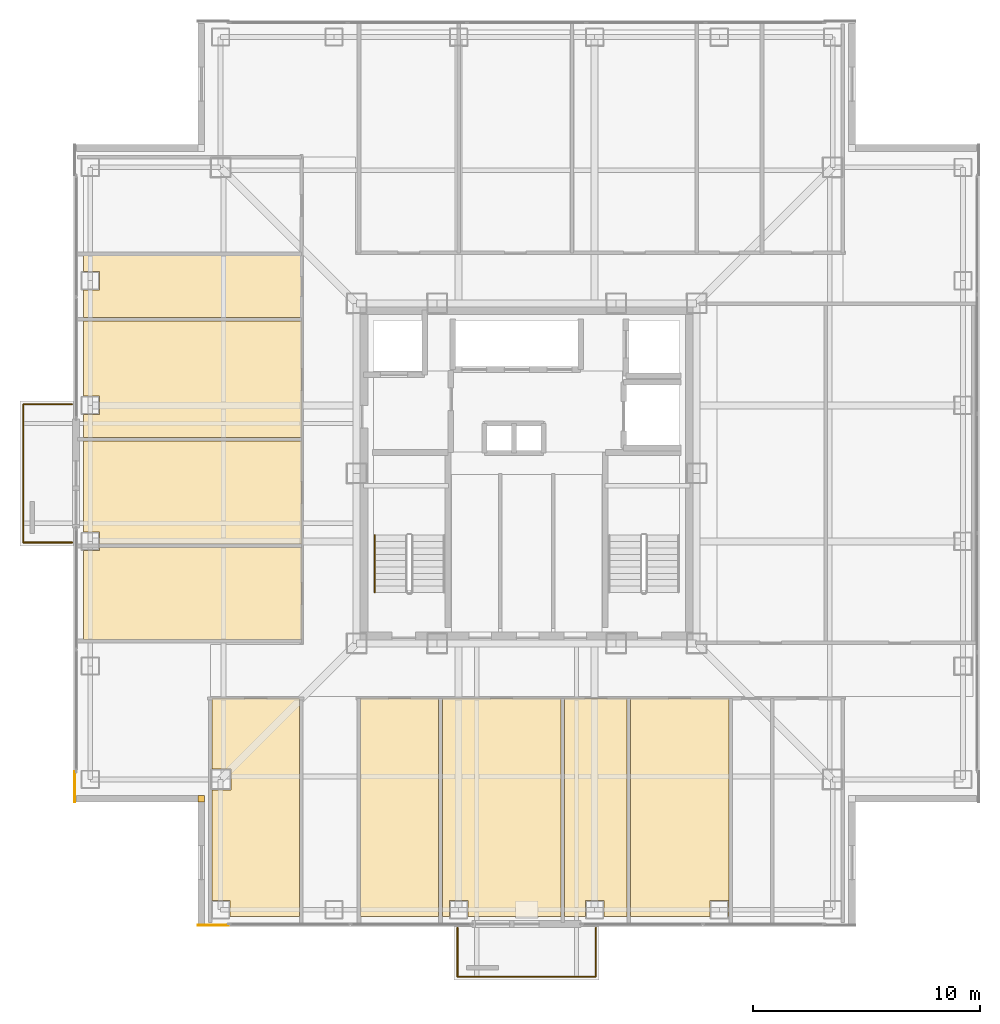
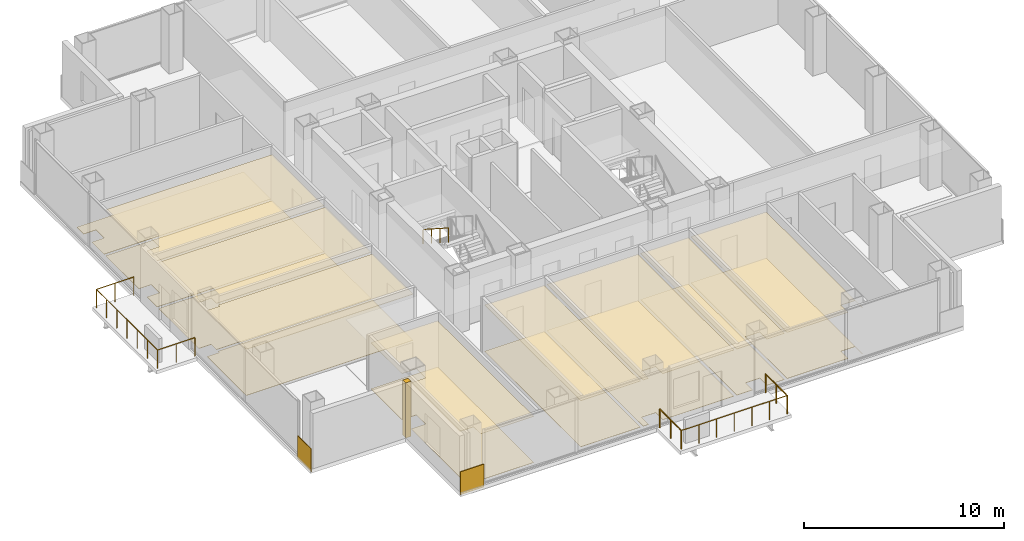
# One storey, part 14 of 16: 20 coverings, 7 railings.
"""IFC4 building model written with IfcOpenShell, lengths in metres."""

from ifc_helpers import new_model, si_unit, direction, frame, frame_2d, origin, origin_2d, place, context, subcontext, project, spatial, polyline, rectangle, circle, outline, extrude, material, layer, layer_set, type_object, element, save


model = new_model("IFC4")

# Units and contexts
model_context = context("Model", 3, precision=1e-05, world=origin(), true_north=direction((0.0, 1.0)))
body_context = subcontext(model_context, "Body", "Model", "MODEL_VIEW")
ifc_project = project(units=[si_unit("LENGTHUNIT", "METRE"), si_unit("AREAUNIT", "SQUARE_METRE"), si_unit("VOLUMEUNIT", "CUBIC_METRE"), si_unit("PLANEANGLEUNIT", "RADIAN"), si_unit("MASSUNIT", "GRAM", prefix="KILO")], contexts=[model_context])

# Site, building, storey
site_placement = place(None, origin())
site = spatial("IfcSite", under=ifc_project, at=site_placement, CompositionType="ELEMENT")
building_placement = place(site_placement, origin())
building = spatial("IfcBuilding", under=site, at=building_placement, Name="Trevonay Congress Spire", CompositionType="ELEMENT")
storey_placement = place(building_placement, frame((0.0, 0.0, 177.0)))
storey = spatial("IfcBuildingStorey", under=building, at=storey_placement, Name="L45", CompositionType="ELEMENT", Elevation=177.0)

# Coverings
ifc_material_1 = material(Name="Acoustic Mineral Fibre Board", Category="gypsum")
ifc_layer_1 = layer(ifc_material_1, 0.02490234375, Name="Acoustic Mineral Fibre Board")
ifc_layer_set_1 = layer_set([ifc_layer_1], Name="Acoustic Mineral Fibre Board")
covering_type_1 = type_object("IfcCoveringType", Name="COV-CEIL-ACOUSTIC", PredefinedType="CEILING", material=ifc_layer_set_1)
covering_1_placement = place(storey_placement, frame((0.0, 0.0, 2.81005859375)))
element("IfcCovering", 1, at=covering_1_placement, inside=storey, type_object=covering_type_1, Name="L45 Senior Partner Corner Office acoustic suspended ceiling", PredefinedType="CEILING", context=body_context, shape_type="SweptSolid", body=[
    extrude(outline(polyline([(-13.8701171875, -9.929931640625), (-10.030029296875, -9.929931640625), (-10.030029296875, -19.550048828125), (-13.090087890625, -19.550048828125), (-13.090087890625, -18.840087890625), (-13.8701171875, -18.840087890625), (-13.8701171875, -13.9599609375), (-13.0400390625, -13.9599609375), (-13.0400390625, -13.0400390625), (-13.8701171875, -13.0400390625), (-13.8701171875, -9.929931640625)])), origin(), (0.0, 0.0, 1.0), 0.02490234375),
])
covering_2_placement = place(storey_placement, frame((0.0, 0.0, 2.81005859375)))
element("IfcCovering", 2, at=covering_2_placement, inside=storey, type_object=covering_type_1, Name="L45 Admiralty Law Office 1 acoustic suspended ceiling", PredefinedType="CEILING", context=body_context, shape_type="SweptSolid", body=[
    extrude(outline(polyline([(-7.320068359375, -19.550048828125), (-3.8798828125, -19.550048828125), (-3.8798828125, -9.929931640625), (-7.320068359375, -9.929931640625), (-7.320068359375, -19.550048828125)])), origin(), (0.0, 0.0, 1.0), 0.02490234375),
])
covering_3_placement = place(storey_placement, frame((0.0, 0.0, 2.81005859375)))
element("IfcCovering", 3, at=covering_3_placement, inside=storey, type_object=covering_type_1, Name="L45 Admiralty Law Office 2 acoustic suspended ceiling", PredefinedType="CEILING", context=body_context, shape_type="SweptSolid", body=[
    extrude(outline(polyline([(-3.719970703125, -19.550048828125), (-3.719970703125, -9.929931640625), (1.52001953125, -9.929931640625), (1.52001953125, -19.550048828125), (-2.590087890625, -19.550048828125), (-2.590087890625, -18.840087890625), (-3.409912109375, -18.840087890625), (-3.409912109375, -19.550048828125), (-3.719970703125, -19.550048828125)])), origin(), (0.0, 0.0, 1.0), 0.02490234375),
])
covering_4_placement = place(storey_placement, frame((0.0, 0.0, 2.81005859375)))
element("IfcCovering", 4, at=covering_4_placement, inside=storey, type_object=covering_type_1, Name="L45 Marine Insurance Office 3 acoustic suspended ceiling", PredefinedType="CEILING", context=body_context, shape_type="SweptSolid", body=[
    extrude(outline(polyline([(1.679931640625, -19.550048828125), (1.679931640625, -9.929931640625), (4.419921875, -9.929931640625), (4.419921875, -19.550048828125), (3.409912109375, -19.550048828125), (3.409912109375, -18.840087890625), (2.590087890625, -18.840087890625), (2.590087890625, -19.550048828125), (1.679931640625, -19.550048828125)])), origin(), (0.0, 0.0, 1.0), 0.02490234375),
])
covering_5_placement = place(storey_placement, frame((0.0, 0.0, 2.81005859375)))
element("IfcCovering", 5, at=covering_5_placement, inside=storey, type_object=covering_type_1, Name="L45 Paralegal Office 4 acoustic suspended ceiling", PredefinedType="CEILING", context=body_context, shape_type="SweptSolid", body=[
    extrude(outline(polyline([(4.580078125, -19.550048828125), (4.580078125, -9.929931640625), (8.919921875, -9.929931640625), (8.919921875, -19.550048828125), (8.909912109375, -19.550048828125), (8.909912109375, -18.840087890625), (8.090087890625, -18.840087890625), (8.090087890625, -19.550048828125), (4.580078125, -19.550048828125)])), origin(), (0.0, 0.0, 1.0), 0.02490234375),
])
covering_6_placement = place(storey_placement, frame((0.0, 0.0, 2.81005859375)))
element("IfcCovering", 6, at=covering_6_placement, inside=storey, type_object=covering_type_1, Name="L45 Charterparty Office 5 acoustic suspended ceiling", PredefinedType="CEILING", context=body_context, shape_type="SweptSolid", body=[
    extrude(outline(polyline([(-9.929931640625, -3.280029296875), (-9.929931640625, -7.320068359375), (-19.550048828125, -7.320068359375), (-19.550048828125, -3.409912109375), (-18.840087890625, -3.409912109375), (-18.840087890625, -3.280029296875), (-9.929931640625, -3.280029296875)])), origin(), (0.0, 0.0, 1.0), 0.02490234375),
])
covering_7_placement = place(storey_placement, frame((0.0, 0.0, 2.81005859375)))
element("IfcCovering", 7, at=covering_7_placement, inside=storey, type_object=covering_type_1, Name="L45 Claims Office 6 acoustic suspended ceiling", PredefinedType="CEILING", context=body_context, shape_type="SweptSolid", body=[
    extrude(outline(polyline([(-19.550048828125, 1.419921875), (-9.929931640625, 1.419921875), (-9.929931640625, -3.1201171875), (-18.840087890625, -3.1201171875), (-18.840087890625, -2.590087890625), (-19.550048828125, -2.590087890625), (-19.550048828125, 1.419921875)])), origin(), (0.0, 0.0, 1.0), 0.02490234375),
])
covering_8_placement = place(storey_placement, frame((0.0, 0.0, 2.81005859375)))
element("IfcCovering", 8, at=covering_8_placement, inside=storey, type_object=covering_type_1, Name="L45 Registry Office 7 acoustic suspended ceiling", PredefinedType="CEILING", context=body_context, shape_type="SweptSolid", body=[
    extrude(outline(polyline([(-19.550048828125, 6.719970703125), (-9.929931640625, 6.719970703125), (-9.929931640625, 1.580078125), (-19.550048828125, 1.580078125), (-19.550048828125, 2.590087890625), (-18.840087890625, 2.590087890625), (-18.840087890625, 3.409912109375), (-19.550048828125, 3.409912109375), (-19.550048828125, 6.719970703125)])), origin(), (0.0, 0.0, 1.0), 0.02490234375),
])
ifc_material_2 = material(Name="Polished Granite Floor Tile", Category="masonry")
ifc_layer_2 = layer(ifc_material_2, 0.02001953125, Name="Polished Granite Floor Tile")
ifc_layer_set_2 = layer_set([ifc_layer_2], Name="Polished Granite Floor Tile")
covering_type_2 = type_object("IfcCoveringType", Name="COV-FLOOR-STONE", PredefinedType="FLOORING", material=ifc_layer_set_2)
covering_9_placement = place(storey_placement, origin())
element("IfcCovering", 9, at=covering_9_placement, inside=storey, type_object=covering_type_2, Name="L45 Male Restroom WC floor finish", PredefinedType="FLOORING", context=body_context, shape_type="SweptSolid", body=[
    extrude(outline(polyline([(-19.550048828125, 9.60009765625), (-9.929931640625, 9.60009765625), (-9.929931640625, 6.8798828125), (-19.550048828125, 6.8798828125), (-19.550048828125, 8.090087890625), (-18.840087890625, 8.090087890625), (-18.840087890625, 8.909912109375), (-19.550048828125, 8.909912109375), (-19.550048828125, 9.60009765625)])), origin(), (0.0, 0.0, 1.0), 0.02001953125),
])
ifc_material_3 = material(Name="Engineered Oak Flooring", Category="wood")
ifc_layer_3 = layer(ifc_material_3, 0.01806640625, Name="Engineered Oak Flooring")
ifc_layer_set_3 = layer_set([ifc_layer_3], Name="Engineered Oak Flooring")
covering_type_3 = type_object("IfcCoveringType", Name="COV-FLOOR-TIMBER", PredefinedType="FLOORING", material=ifc_layer_set_3)
covering_10_placement = place(storey_placement, origin())
element("IfcCovering", 10, at=covering_10_placement, inside=storey, type_object=covering_type_3, Name="L45 Senior Partner Corner Office floor finish", PredefinedType="FLOORING", context=body_context, shape_type="SweptSolid", body=[
    extrude(outline(polyline([(-13.8701171875, -9.929931640625), (-10.030029296875, -9.929931640625), (-10.030029296875, -19.550048828125), (-13.090087890625, -19.550048828125), (-13.090087890625, -18.840087890625), (-13.8701171875, -18.840087890625), (-13.8701171875, -13.9599609375), (-13.0400390625, -13.9599609375), (-13.0400390625, -13.0400390625), (-13.8701171875, -13.0400390625), (-13.8701171875, -9.929931640625)])), origin(), (0.0, 0.0, 1.0), 0.01806640625),
])
covering_11_placement = place(storey_placement, origin())
element("IfcCovering", 11, at=covering_11_placement, inside=storey, type_object=covering_type_3, Name="L45 Admiralty Law Office 1 floor finish", PredefinedType="FLOORING", context=body_context, shape_type="SweptSolid", body=[
    extrude(outline(polyline([(-7.320068359375, -19.550048828125), (-3.8798828125, -19.550048828125), (-3.8798828125, -9.929931640625), (-7.320068359375, -9.929931640625), (-7.320068359375, -19.550048828125)])), origin(), (0.0, 0.0, 1.0), 0.01806640625),
])
covering_12_placement = place(storey_placement, origin())
element("IfcCovering", 12, at=covering_12_placement, inside=storey, type_object=covering_type_3, Name="L45 Admiralty Law Office 2 floor finish", PredefinedType="FLOORING", context=body_context, shape_type="SweptSolid", body=[
    extrude(outline(polyline([(-3.719970703125, -19.550048828125), (-3.719970703125, -9.929931640625), (1.52001953125, -9.929931640625), (1.52001953125, -19.550048828125), (-2.590087890625, -19.550048828125), (-2.590087890625, -18.840087890625), (-3.409912109375, -18.840087890625), (-3.409912109375, -19.550048828125), (-3.719970703125, -19.550048828125)])), origin(), (0.0, 0.0, 1.0), 0.01806640625),
])
covering_13_placement = place(storey_placement, origin())
element("IfcCovering", 13, at=covering_13_placement, inside=storey, type_object=covering_type_3, Name="L45 Marine Insurance Office 3 floor finish", PredefinedType="FLOORING", context=body_context, shape_type="SweptSolid", body=[
    extrude(outline(polyline([(1.679931640625, -19.550048828125), (1.679931640625, -9.929931640625), (4.419921875, -9.929931640625), (4.419921875, -19.550048828125), (3.409912109375, -19.550048828125), (3.409912109375, -18.840087890625), (2.590087890625, -18.840087890625), (2.590087890625, -19.550048828125), (1.679931640625, -19.550048828125)])), origin(), (0.0, 0.0, 1.0), 0.01806640625),
])
covering_14_placement = place(storey_placement, origin())
element("IfcCovering", 14, at=covering_14_placement, inside=storey, type_object=covering_type_3, Name="L45 Paralegal Office 4 floor finish", PredefinedType="FLOORING", context=body_context, shape_type="SweptSolid", body=[
    extrude(outline(polyline([(4.580078125, -19.550048828125), (4.580078125, -9.929931640625), (8.919921875, -9.929931640625), (8.919921875, -19.550048828125), (8.909912109375, -19.550048828125), (8.909912109375, -18.840087890625), (8.090087890625, -18.840087890625), (8.090087890625, -19.550048828125), (4.580078125, -19.550048828125)])), origin(), (0.0, 0.0, 1.0), 0.01806640625),
])
covering_15_placement = place(storey_placement, origin())
element("IfcCovering", 15, at=covering_15_placement, inside=storey, type_object=covering_type_3, Name="L45 Charterparty Office 5 floor finish", PredefinedType="FLOORING", context=body_context, shape_type="SweptSolid", body=[
    extrude(outline(polyline([(-9.929931640625, -3.280029296875), (-9.929931640625, -7.320068359375), (-19.550048828125, -7.320068359375), (-19.550048828125, -3.409912109375), (-18.840087890625, -3.409912109375), (-18.840087890625, -3.280029296875), (-9.929931640625, -3.280029296875)])), origin(), (0.0, 0.0, 1.0), 0.01806640625),
])
covering_16_placement = place(storey_placement, origin())
element("IfcCovering", 16, at=covering_16_placement, inside=storey, type_object=covering_type_3, Name="L45 Claims Office 6 floor finish", PredefinedType="FLOORING", context=body_context, shape_type="SweptSolid", body=[
    extrude(outline(polyline([(-19.550048828125, 1.419921875), (-9.929931640625, 1.419921875), (-9.929931640625, -3.1201171875), (-18.840087890625, -3.1201171875), (-18.840087890625, -2.590087890625), (-19.550048828125, -2.590087890625), (-19.550048828125, 1.419921875)])), origin(), (0.0, 0.0, 1.0), 0.01806640625),
])
covering_17_placement = place(storey_placement, origin())
element("IfcCovering", 17, at=covering_17_placement, inside=storey, type_object=covering_type_3, Name="L45 Registry Office 7 floor finish", PredefinedType="FLOORING", context=body_context, shape_type="SweptSolid", body=[
    extrude(outline(polyline([(-19.550048828125, 6.719970703125), (-9.929931640625, 6.719970703125), (-9.929931640625, 1.580078125), (-19.550048828125, 1.580078125), (-19.550048828125, 2.590087890625), (-18.840087890625, 2.590087890625), (-18.840087890625, 3.409912109375), (-19.550048828125, 3.409912109375), (-19.550048828125, 6.719970703125)])), origin(), (0.0, 0.0, 1.0), 0.01806640625),
])
ifc_material_4 = material(Name="Pale Anodised Aluminium EN AW-6063-T6", Category="aluminium")
ifc_layer_4 = layer(ifc_material_4, 0.0400390625, Name="Pale Anodised Aluminium EN AW-6063-T6")
ifc_layer_set_4 = layer_set([ifc_layer_4], Name="Pale Anodised Aluminium EN AW-6063-T6")
covering_type_4 = type_object("IfcCoveringType", Name="COV-SPANDREL-PALE-METAL", PredefinedType="CLADDING", material=ifc_layer_set_4)
covering_18_placement = place(storey_placement, origin())
element("IfcCovering", 18, at=covering_18_placement, inside=storey, type_object=covering_type_4, Name="L45 SW re-entrant notch corner closure trim", PredefinedType="CLADDING", context=body_context, shape_type="SweptSolid", body=[
    extrude(outline(polyline([(-14.5, -14.5), (-14.199951171875, -14.5), (-14.199951171875, -14.199951171875), (-14.5, -14.199951171875), (-14.5, -14.5)])), origin(), (0.0, 0.0, 1.0), 3.360107421875),
])
for number, where, z_axis, x_axis, name in (
    (19, (-19.93994140625, -13.14990234375, -0.14990234375), (0.0, 0.0, 1.0), (0.0, -1.0, 0.0), "L45 SW corner pier spandrel cladding 1"),
    (20, (-13.14990234375, -19.93994140625, -0.14990234375), (0.0, 0.0, 1.0), (-1.0, 0.0, 0.0), "L45 SW corner pier spandrel cladding 2"),
):
    element("IfcCovering", number, at=place(storey_placement, frame(where, z_axis=z_axis, x_axis=x_axis)), inside=storey, type_object=covering_type_4, Name=name, PredefinedType="CLADDING", context=body_context, shape_type="SweptSolid", body=[
        extrude(rectangle(XDim=1.35009765625, YDim=0.0400390625, at=frame_2d((0.675048828125, 0.0))), origin(), (0.0, 0.0, 1.0), 1.39990234375),
    ])

# Railings
railing_type_1 = type_object("IfcRailingType", Name="RAL-EXT-GUARD-115", PredefinedType="GUARDRAIL", material=ifc_material_4)
railing_1_placement = place(storey_placement, frame((-3.050048828125, -20.050048828125, 0.0)))
element("IfcRailing", 21, at=railing_1_placement, inside=storey, type_object=railing_type_1, Name="L45 perimeter safety guard GRD-L45-TBAL-S-1", PredefinedType="GUARDRAIL", context=body_context, shape_type="SweptSolid", body=[
    extrude(circle(Radius=0.02392578125, at=origin_2d()), frame((0.0, 0.0, 1.1259765625), z_axis=(0.0, -1.0, 0.0), x_axis=(1.0, 0.0, 0.0)), (0.0, 0.0, 1.0), 2.14990234375),
    extrude(circle(Radius=0.02099609375, at=origin_2d()), origin(), (0.0, 0.0, 1.0), 1.101806640625),
    extrude(circle(Radius=0.02099609375, at=origin_2d()), frame((0.0, -1.074951171875, 0.0)), (0.0, 0.0, 1.0), 1.101806640625),
    extrude(circle(Radius=0.02099609375, at=origin_2d()), frame((0.0, -2.14990234375, 0.0)), (0.0, 0.0, 1.0), 1.101806640625),
])
railing_2_placement = place(storey_placement, frame((-3.050048828125, -22.199951171875, 0.0)))
element("IfcRailing", 22, at=railing_2_placement, inside=storey, type_object=railing_type_1, Name="L45 perimeter safety guard GRD-L45-TBAL-S-2", PredefinedType="GUARDRAIL", context=body_context, shape_type="SweptSolid", body=[
    extrude(circle(Radius=0.02392578125, at=origin_2d()), frame((0.0, 0.0, 1.1259765625), z_axis=(1.0, 0.0, 0.0), x_axis=(0.0, 1.0, 0.0)), (0.0, 0.0, 1.0), 6.10009765625),
    extrude(circle(Radius=0.02099609375, at=origin_2d()), origin(), (0.0, 0.0, 1.0), 1.101806640625),
    extrude(circle(Radius=0.02099609375, at=origin_2d()), frame((1.0166015625, 0.0, 0.0)), (0.0, 0.0, 1.0), 1.101806640625),
    extrude(circle(Radius=0.02099609375, at=origin_2d()), frame((2.033447265625, 0.0, 0.0)), (0.0, 0.0, 1.0), 1.101806640625),
    extrude(circle(Radius=0.02099609375, at=origin_2d()), frame((3.050048828125, 0.0, 0.0)), (0.0, 0.0, 1.0), 1.101806640625),
    extrude(circle(Radius=0.02099609375, at=origin_2d()), frame((4.066650390625, 0.0, 0.0)), (0.0, 0.0, 1.0), 1.101806640625),
    extrude(circle(Radius=0.02099609375, at=origin_2d()), frame((5.08349609375, 0.0, 0.0)), (0.0, 0.0, 1.0), 1.101806640625),
    extrude(circle(Radius=0.02099609375, at=origin_2d()), frame((6.10009765625, 0.0, 0.0)), (0.0, 0.0, 1.0), 1.101806640625),
])
railing_3_placement = place(storey_placement, frame((3.050048828125, -22.199951171875, 0.0)))
element("IfcRailing", 23, at=railing_3_placement, inside=storey, type_object=railing_type_1, Name="L45 perimeter safety guard GRD-L45-TBAL-S-3", PredefinedType="GUARDRAIL", context=body_context, shape_type="SweptSolid", body=[
    extrude(circle(Radius=0.02392578125, at=origin_2d()), frame((0.0, 0.0, 1.1259765625), z_axis=(0.0, 1.0, 0.0), x_axis=(-1.0, 0.0, 0.0)), (0.0, 0.0, 1.0), 2.14990234375),
    extrude(circle(Radius=0.02099609375, at=origin_2d()), origin(), (0.0, 0.0, 1.0), 1.101806640625),
    extrude(circle(Radius=0.02099609375, at=origin_2d()), frame((0.0, 1.074951171875, 0.0)), (0.0, 0.0, 1.0), 1.101806640625),
    extrude(circle(Radius=0.02099609375, at=origin_2d()), frame((0.0, 2.14990234375, 0.0)), (0.0, 0.0, 1.0), 1.101806640625),
])
railing_4_placement = place(storey_placement, frame((-20.050048828125, -3.050048828125, 0.0)))
element("IfcRailing", 24, at=railing_4_placement, inside=storey, type_object=railing_type_1, Name="L45 perimeter safety guard GRD-L45-TBAL-W-1", PredefinedType="GUARDRAIL", context=body_context, shape_type="SweptSolid", body=[
    extrude(circle(Radius=0.02392578125, at=origin_2d()), frame((0.0, 0.0, 1.1259765625), z_axis=(-1.0, 0.0, 0.0), x_axis=(0.0, -1.0, 0.0)), (0.0, 0.0, 1.0), 2.14990234375),
    extrude(circle(Radius=0.02099609375, at=origin_2d()), origin(), (0.0, 0.0, 1.0), 1.101806640625),
    extrude(circle(Radius=0.02099609375, at=origin_2d()), frame((-1.074951171875, 0.0, 0.0)), (0.0, 0.0, 1.0), 1.101806640625),
    extrude(circle(Radius=0.02099609375, at=origin_2d()), frame((-2.14990234375, 0.0, 0.0)), (0.0, 0.0, 1.0), 1.101806640625),
])
railing_5_placement = place(storey_placement, frame((-22.199951171875, -3.050048828125, 0.0)))
element("IfcRailing", 25, at=railing_5_placement, inside=storey, type_object=railing_type_1, Name="L45 perimeter safety guard GRD-L45-TBAL-W-2", PredefinedType="GUARDRAIL", context=body_context, shape_type="SweptSolid", body=[
    extrude(circle(Radius=0.02392578125, at=origin_2d()), frame((0.0, 0.0, 1.1259765625), z_axis=(0.0, 1.0, 0.0), x_axis=(-1.0, 0.0, 0.0)), (0.0, 0.0, 1.0), 6.10009765625),
    extrude(circle(Radius=0.02099609375, at=origin_2d()), origin(), (0.0, 0.0, 1.0), 1.101806640625),
    extrude(circle(Radius=0.02099609375, at=origin_2d()), frame((0.0, 1.0166015625, 0.0)), (0.0, 0.0, 1.0), 1.101806640625),
    extrude(circle(Radius=0.02099609375, at=origin_2d()), frame((0.0, 2.033447265625, 0.0)), (0.0, 0.0, 1.0), 1.101806640625),
    extrude(circle(Radius=0.02099609375, at=origin_2d()), frame((0.0, 3.050048828125, 0.0)), (0.0, 0.0, 1.0), 1.101806640625),
    extrude(circle(Radius=0.02099609375, at=origin_2d()), frame((0.0, 4.066650390625, 0.0)), (0.0, 0.0, 1.0), 1.101806640625),
    extrude(circle(Radius=0.02099609375, at=origin_2d()), frame((0.0, 5.08349609375, 0.0)), (0.0, 0.0, 1.0), 1.101806640625),
    extrude(circle(Radius=0.02099609375, at=origin_2d()), frame((0.0, 6.10009765625, 0.0)), (0.0, 0.0, 1.0), 1.101806640625),
])
railing_6_placement = place(storey_placement, frame((-22.199951171875, 3.050048828125, 0.0)))
element("IfcRailing", 26, at=railing_6_placement, inside=storey, type_object=railing_type_1, Name="L45 perimeter safety guard GRD-L45-TBAL-W-3", PredefinedType="GUARDRAIL", context=body_context, shape_type="SweptSolid", body=[
    extrude(circle(Radius=0.02392578125, at=origin_2d()), frame((0.0, 0.0, 1.1259765625), z_axis=(1.0, 0.0, 0.0), x_axis=(0.0, 1.0, 0.0)), (0.0, 0.0, 1.0), 2.14990234375),
    extrude(circle(Radius=0.02099609375, at=origin_2d()), origin(), (0.0, 0.0, 1.0), 1.101806640625),
    extrude(circle(Radius=0.02099609375, at=origin_2d()), frame((1.074951171875, 0.0, 0.0)), (0.0, 0.0, 1.0), 1.101806640625),
    extrude(circle(Radius=0.02099609375, at=origin_2d()), frame((2.14990234375, 0.0, 0.0)), (0.0, 0.0, 1.0), 1.101806640625),
])
railing_type_2 = type_object("IfcRailingType", Name="RAL-STAIR-HANDRAIL", PredefinedType="HANDRAIL", material=ifc_material_4)
railing_7_placement = place(storey_placement, frame((-6.699951171875, -2.72998046875, 1.97998046875)))
element("IfcRailing", 27, at=railing_7_placement, inside=storey, type_object=railing_type_2, Name="L45 ST-1 stair handrail 2", PredefinedType="HANDRAIL", context=body_context, shape_type="SweptSolid", body=[
    extrude(circle(Radius=0.02392578125, at=origin_2d()), frame((0.0, 0.0, 0.8759765625), z_axis=(0.0, -0.841162588446, 0.540782303519), x_axis=(1.0, 0.0, 0.0)), (0.0, 0.0, 1.0), 2.995849609375),
    extrude(circle(Radius=0.02099609375, at=origin_2d()), origin(), (0.0, 0.0, 1.0), 0.851806640625),
    extrude(circle(Radius=0.02099609375, at=origin_2d()), frame((0.0, -0.840087890625, 0.5400390625)), (0.0, 0.0, 1.0), 0.851806640625),
    extrude(circle(Radius=0.02099609375, at=origin_2d()), frame((0.0, -1.679931640625, 1.080078125)), (0.0, 0.0, 1.0), 0.851806640625),
    extrude(circle(Radius=0.02099609375, at=origin_2d()), frame((0.0, -2.52001953125, 1.6201171875)), (0.0, 0.0, 1.0), 0.851806640625),
])

save(model, "model.ifc")
